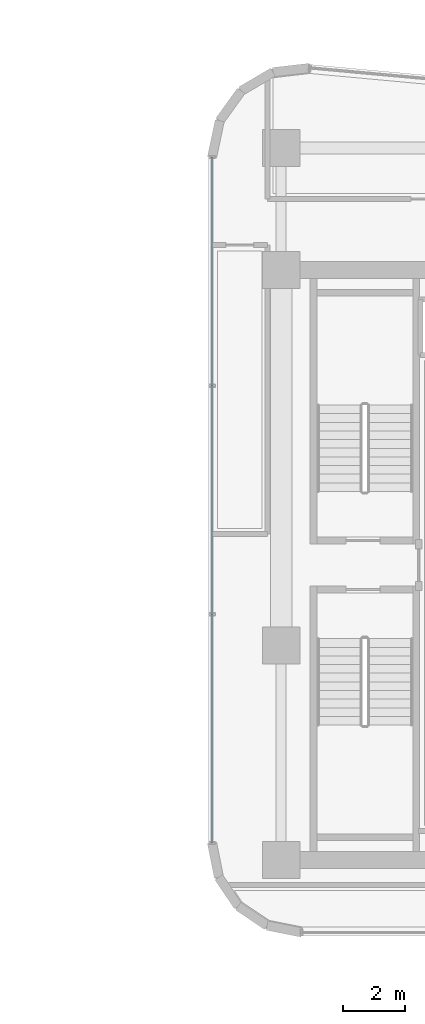
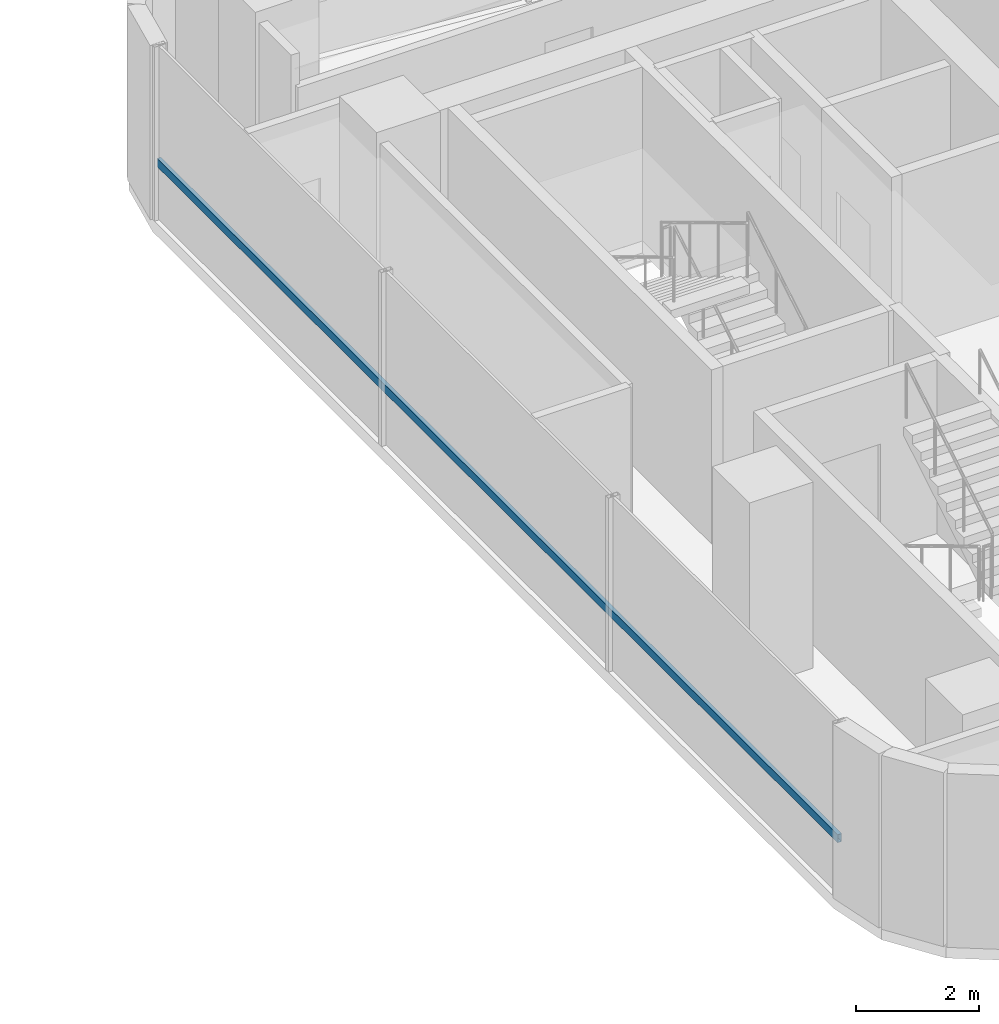
# One storey, part 15 of 34: 1 member, 1 element without a shape of its own.
"""IFC4 building model written with IfcOpenShell, lengths in metres."""

from ifc_helpers import new_model, si_unit, direction, frame, origin, origin_2d, place, context, subcontext, project, spatial, hollow_rectangle, extrude, source, transform, mapped, material, material_profile, profile_set, type_object, element, aggregate, save


model = new_model("IFC4")

# Units and contexts
model_context = context("Model", 3, precision=1e-05, world=origin(), true_north=direction((0.0, 1.0)))
body_context = subcontext(model_context, "Body", "Model", "MODEL_VIEW")
ifc_project = project(units=[si_unit("LENGTHUNIT", "METRE"), si_unit("AREAUNIT", "SQUARE_METRE"), si_unit("VOLUMEUNIT", "CUBIC_METRE"), si_unit("PLANEANGLEUNIT", "RADIAN"), si_unit("MASSUNIT", "GRAM", prefix="KILO")], contexts=[model_context])

# Site, building, storey
site_placement = place(None, origin())
site = spatial("IfcSite", under=ifc_project, at=site_placement, CompositionType="ELEMENT")
building_placement = place(site_placement, origin())
building = spatial("IfcBuilding", under=site, at=building_placement, Name="Valdorenza Pilgrim Sanctuary Tower", CompositionType="ELEMENT")
storey_placement = place(building_placement, frame((0.0, 0.0, 164.89990234375)))
storey = spatial("IfcBuildingStorey", under=building, at=storey_placement, Name="L42", CompositionType="ELEMENT", Elevation=164.89990234375)

# Curtain wall, member
ifc_material_1 = material(Name="Curtain-wall IGU glazing", Category="glass")
curtain_wall_type = type_object("IfcCurtainWallType", Name="CW-SYS-03", PredefinedType="NOTDEFINED", material=ifc_material_1)
curtain_wall_placement = place(storey_placement, origin())
curtain_wall = element("IfcCurtainWall", 1, at=curtain_wall_placement, inside=storey, type_object=curtain_wall_type, Name="L42 Curtain Wall CW-L42-2-1", PredefinedType="NOTDEFINED")
ifc_material_2 = material(Name="Anodised aluminium AW-6060", Category="aluminium")
ifc_material_profile = material_profile(ifc_material_2, hollow_rectangle(XDim=0.074951171875, YDim=0.159912109375, WallThickness=0.00390625, at=origin_2d()), Name="ALU-T 160x75x4")
ifc_profile_set = profile_set([ifc_material_profile], Name="Anodised aluminium AW-6060")
member_type = type_object("IfcMemberType", Name="CW-TRN-03", PredefinedType="USERDEFINED", material=ifc_profile_set)
shared_shape = source(origin(), body_context, "Body", "SweptSolid", [
    extrude(hollow_rectangle(XDim=0.074951171875, YDim=0.159912109375, WallThickness=0.00390625, at=origin_2d()), origin(), (0.0, 0.0, 1.0), 22.18896484375),
])
member_placement = place(storey_placement, frame((13.610107421875, -8.9892578125, 1.1201171875), z_axis=(0.0, 1.0, 0.0), x_axis=(-1.0, 0.0, 0.0)))
member = element("IfcMember", 2, at=member_placement, type_object=member_type, Name="CW-L42-2-1 Transom 1", ObjectType="TRANSOM", PredefinedType="USERDEFINED", context=body_context, shape_type="MappedRepresentation", body=[
    mapped(shared_shape, transform((0.0, 0.0, 0.0), x_axis=(1.0, 0.0, 0.0), y_axis=(0.0, 1.0, 0.0), z_axis=(0.0, 0.0, 1.0), scale=1.0)),
])
aggregate(curtain_wall, [member])

save(model, "model.ifc")
